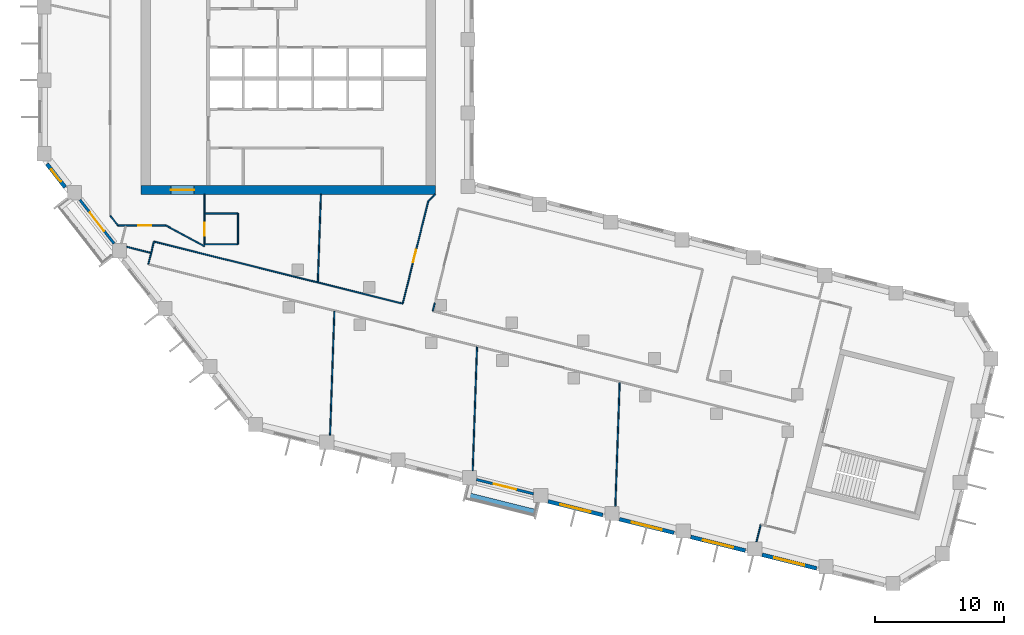
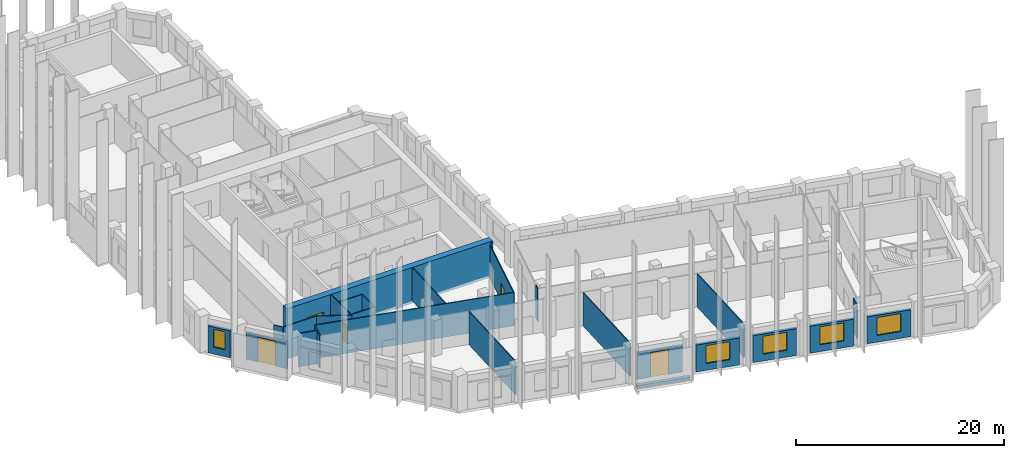
# One storey, part 3 of 10: 27 walls, 6 doors, 5 windows, 11 openings.
"""IFC4 building model written with IfcOpenShell, lengths in metres."""

from ifc_helpers import new_model, si_unit, direction, frame, frame_2d, origin, place, context, subcontext, project, spatial, rectangle, extrude, material, layer, layer_set, type_object, element, fill, save


model = new_model("IFC4")

# Units and contexts
model_context = context("Model", 3, precision=1e-05, world=origin(), true_north=direction((0.0, 1.0)))
body_context = subcontext(model_context, "Body", "Model", "MODEL_VIEW")
ifc_project = project(units=[si_unit("LENGTHUNIT", "METRE"), si_unit("AREAUNIT", "SQUARE_METRE"), si_unit("VOLUMEUNIT", "CUBIC_METRE"), si_unit("PLANEANGLEUNIT", "RADIAN"), si_unit("MASSUNIT", "GRAM", prefix="KILO")], contexts=[model_context])

# Site, building, storey
site_placement = place(None, origin())
site = spatial("IfcSite", under=ifc_project, at=site_placement, CompositionType="ELEMENT")
building_placement = place(site_placement, origin())
building = spatial("IfcBuilding", under=site, at=building_placement, Name="Meshkara Civic Tower", CompositionType="ELEMENT")
storey_placement = place(building_placement, frame((0.0, 0.0, 259.199951171875)))
storey = spatial("IfcBuildingStorey", under=building, at=storey_placement, Name="L59", CompositionType="ELEMENT", Elevation=259.199951171875)

# Wall, opening, door
ifc_material_1 = material(Name="Concrete C60", Category="concrete")
ifc_layer_1 = layer(ifc_material_1, 0.699951171875)
ifc_layer_set_1 = layer_set([ifc_layer_1], Name="Core ring wall 700 C60")
wall_type_1 = type_object("IfcWallType", Name="Core ring wall 700 C60", PredefinedType="SHEAR", material=ifc_layer_set_1)
wall_1_placement = place(storey_placement, frame((8.0, 14.449951171875, -0.300048828125), z_axis=(0.0, 0.0, 1.0), x_axis=(1.0, 0.0, 0.0)))
wall_1 = element("IfcWall", 1, at=wall_1_placement, inside=storey, type_object=wall_type_1, Name="L59-C001", PredefinedType="SHEAR", context=body_context, shape_type="SweptSolid", body=[
    extrude(rectangle(XDim=22.800048828125, YDim=0.699951171875, at=frame_2d((11.39990234375, 0.0))), origin(), (0.0, 0.0, 1.0), 4.2001953125),
])
opening_1_placement = place(wall_1_placement, frame((2.300048828125, 0.0, 0.300048828125)))
opening_1 = element("IfcOpeningElement", 2, at=opening_1_placement, cuts=wall_1, Name="Opening L59-K021", PredefinedType="OPENING", context=body_context, shape_type="SweptSolid", body=[
    extrude(rectangle(XDim=1.800048828125, YDim=2.10009765625, at=frame_2d((0.89990234375, 1.050048828125))), frame((0.0, 0.35986328125, 0.0), z_axis=(0.0, -1.0, 0.0), x_axis=(1.0, 0.0, 0.0)), (0.0, 0.0, 1.0), 0.719970703125),
])
ifc_material_2 = material(Name="Fire-rated door leaf in steel frame", Category="steel")
door_type_1 = type_object("IfcDoorType", Name="Core double door 1800 EI 60", OperationType="DOUBLE_DOOR_SINGLE_SWING", PredefinedType="DOOR", material=ifc_material_2)
door_1_placement = place(opening_1_placement, origin())
door_1 = element("IfcDoor", 3, at=door_1_placement, inside=storey, type_object=door_type_1, Name="L59-K021", OperationType="DOUBLE_DOOR_SINGLE_SWING", OverallHeight=2.10009765625, OverallWidth=1.800048828125, PredefinedType="DOOR", context=body_context, shape_type="SweptSolid", body=[
    extrude(rectangle(XDim=1.800048828125, YDim=2.10009765625, at=frame_2d((0.89990234375, 1.050048828125))), frame((0.0, 0.02490234375, 0.0), z_axis=(0.0, -1.0, 0.0), x_axis=(1.0, 0.0, 0.0)), (0.0, 0.0, 1.0), 0.050048828125),
])
fill(opening_1, door_1)

# Wall
ifc_material_3 = material(Name="Corridor wall 100")
ifc_layer_2 = layer(ifc_material_3, 0.10009765625)
ifc_layer_set_2 = layer_set([ifc_layer_2], Name="Corridor wall 100")
wall_type_2 = type_object("IfcWallType", Name="Corridor wall 100", PredefinedType="PARTITIONING", material=ifc_layer_set_2)
wall_2_placement = place(storey_placement, frame((5.60009765625, 12.449951171875, 0.0), z_axis=(0.0, 0.0, 1.0), x_axis=(0.615644041972, -0.788024373725, 0.0)))
element("IfcWall", 4, at=wall_2_placement, inside=storey, type_object=wall_type_2, Name="L59-W003", PredefinedType="PARTITIONING", context=body_context, shape_type="SweptSolid", body=[
    extrude(rectangle(XDim=0.95166015625, YDim=0.10009765625, at=frame_2d((0.475830078125, 0.0))), origin(), (0.0, 0.0, 1.0), 3.900146484375),
])

# Wall, opening, door
wall_3_placement = place(storey_placement, frame((6.18603515625, 11.699951171875, 0.0), z_axis=(0.0, 0.0, 1.0), x_axis=(1.0, 0.0, 0.0)))
wall_3 = element("IfcWall", 5, at=wall_3_placement, inside=storey, type_object=wall_type_2, Name="L59-W006", PredefinedType="PARTITIONING", context=body_context, shape_type="SweptSolid", body=[
    extrude(rectangle(XDim=3.7138671875, YDim=0.10009765625, at=frame_2d((1.85693359375, 0.0))), origin(), (0.0, 0.0, 1.0), 3.900146484375),
])
opening_2_placement = place(wall_3_placement, frame((1.591064453125, 0.0, 0.0)))
opening_2 = element("IfcOpeningElement", 6, at=opening_2_placement, cuts=wall_3, Name="Opening L59-D008", PredefinedType="OPENING", context=body_context, shape_type="SweptSolid", body=[
    extrude(rectangle(XDim=1.0, YDim=2.10009765625, at=frame_2d((0.5, 1.050048828125))), frame((0.0, 0.06005859375, 0.0), z_axis=(0.0, -1.0, 0.0), x_axis=(1.0, 0.0, 0.0)), (0.0, 0.0, 1.0), 0.1201171875),
])
ifc_material_4 = material(Name="Door 1000 x 2100")
door_type_2 = type_object("IfcDoorType", Name="Door 1000 x 2100", OperationType="SINGLE_SWING_LEFT", PredefinedType="DOOR", material=ifc_material_4)
door_2_placement = place(opening_2_placement, origin())
door_2 = element("IfcDoor", 7, at=door_2_placement, inside=storey, type_object=door_type_2, Name="L59-D008", OperationType="SINGLE_SWING_RIGHT", OverallHeight=2.10009765625, OverallWidth=1.0, PredefinedType="DOOR", context=body_context, shape_type="SweptSolid", body=[
    extrude(rectangle(XDim=1.0, YDim=2.10009765625, at=frame_2d((0.5, 1.050048828125))), frame((0.0, 0.02490234375, 0.0), z_axis=(0.0, -1.0, 0.0), x_axis=(1.0, 0.0, 0.0)), (0.0, 0.0, 1.0), 0.050048828125),
])
fill(opening_2, door_2)

# Walls
wall_4_placement = place(storey_placement, frame((8.988037109375, 10.43994140625, 0.0), z_axis=(0.0, 0.0, 1.0), x_axis=(0.970301223092, -0.241899848006, 0.0)))
element("IfcWall", 8, at=wall_4_placement, inside=storey, type_object=wall_type_2, Name="L59-W009", PredefinedType="PARTITIONING", context=body_context, shape_type="SweptSolid", body=[
    extrude(rectangle(XDim=19.87939453125, YDim=0.10009765625, at=frame_2d((9.939697265625, 0.0))), origin(), (0.0, 0.0, 1.0), 3.900146484375),
])
wall_5_placement = place(storey_placement, frame((8.988037109375, 10.43994140625, 0.0), z_axis=(0.0, 0.0, 1.0), x_axis=(-0.242154485745, -0.970237705428, 0.0)))
element("IfcWall", 9, at=wall_5_placement, inside=storey, type_object=wall_type_2, Name="L59-W010", PredefinedType="PARTITIONING", context=body_context, shape_type="SweptSolid", body=[
    extrude(rectangle(XDim=1.80859375, YDim=0.10009765625, at=frame_2d((0.904296875, 0.0))), origin(), (0.0, 0.0, 1.0), 3.900146484375),
])
wall_6_placement = place(storey_placement, frame((9.89990234375, 11.699951171875, 0.0), z_axis=(0.0, 0.0, 1.0), x_axis=(0.87965147249, -0.475618846291, 0.0)))
element("IfcWall", 10, at=wall_6_placement, inside=storey, type_object=wall_type_2, Name="L59-W011", PredefinedType="PARTITIONING", context=body_context, shape_type="SweptSolid", body=[
    extrude(rectangle(XDim=3.410400390625, YDim=0.10009765625, at=frame_2d((1.705078125, 0.0))), origin(), (0.0, 0.0, 1.0), 3.900146484375),
])

# Wall, opening, door
wall_7_placement = place(storey_placement, frame((12.89990234375, 10.22802734375, 0.0), z_axis=(0.0, 0.0, 1.0), x_axis=(0.0, 1.0, 0.0)))
wall_7 = element("IfcWall", 11, at=wall_7_placement, inside=storey, type_object=wall_type_2, Name="L59-W016", PredefinedType="PARTITIONING", context=body_context, shape_type="SweptSolid", body=[
    extrude(rectangle(XDim=3.8720703125, YDim=0.10009765625, at=frame_2d((1.93603515625, 0.0))), origin(), (0.0, 0.0, 1.0), 3.900146484375),
])
opening_3_placement = place(wall_7_placement, frame((0.679931640625, 0.0, 0.0)))
opening_3 = element("IfcOpeningElement", 12, at=opening_3_placement, cuts=wall_7, Name="Opening L59-D009", PredefinedType="OPENING", context=body_context, shape_type="SweptSolid", body=[
    extrude(rectangle(XDim=1.0, YDim=2.10009765625, at=frame_2d((0.5, 1.050048828125))), frame((0.0, 0.06005859375, 0.0), z_axis=(0.0, -1.0, 0.0), x_axis=(1.0, 0.0, 0.0)), (0.0, 0.0, 1.0), 0.1201171875),
])
door_3_placement = place(opening_3_placement, origin())
door_3 = element("IfcDoor", 13, at=door_3_placement, inside=storey, type_object=door_type_2, Name="L59-D009", OperationType="SINGLE_SWING_RIGHT", OverallHeight=2.10009765625, OverallWidth=1.0, PredefinedType="DOOR", context=body_context, shape_type="SweptSolid", body=[
    extrude(rectangle(XDim=1.0, YDim=2.10009765625, at=frame_2d((0.5, 1.050048828125))), frame((0.0, 0.02490234375, 0.0), z_axis=(0.0, -1.0, 0.0), x_axis=(1.0, 0.0, 0.0)), (0.0, 0.0, 1.0), 0.050048828125),
])
fill(opening_3, door_3)

wall_8_placement = place(storey_placement, frame((30.259033203125, 13.5830078125, 0.0), z_axis=(0.0, 0.0, 1.0), x_axis=(-0.241841612879, -0.970315739479, 0.0)))
wall_8 = element("IfcWall", 14, at=wall_8_placement, inside=storey, type_object=wall_type_2, Name="L59-W026", PredefinedType="PARTITIONING", context=body_context, shape_type="SweptSolid", body=[
    extrude(rectangle(XDim=8.195068359375, YDim=0.10009765625, at=frame_2d((4.09765625, 0.0))), origin(), (0.0, 0.0, 1.0), 3.900146484375),
])
opening_4_placement = place(wall_8_placement, frame((3.8798828125, 0.0, 0.0)))
opening_4 = element("IfcOpeningElement", 15, at=opening_4_placement, cuts=wall_8, Name="Opening L59-D011", PredefinedType="OPENING", context=body_context, shape_type="SweptSolid", body=[
    extrude(rectangle(XDim=1.0, YDim=2.10009765625, at=frame_2d((0.5, 1.050048828125))), frame((0.0, 0.06005859375, 0.0), z_axis=(0.0, -1.0, 0.0), x_axis=(1.0, 0.0, 0.0)), (0.0, 0.0, 1.0), 0.1201171875),
])
door_4_placement = place(opening_4_placement, origin())
door_4 = element("IfcDoor", 16, at=door_4_placement, inside=storey, type_object=door_type_2, Name="L59-D011", OperationType="SINGLE_SWING_LEFT", OverallHeight=2.10009765625, OverallWidth=1.0, PredefinedType="DOOR", context=body_context, shape_type="SweptSolid", body=[
    extrude(rectangle(XDim=1.0, YDim=2.10009765625, at=frame_2d((0.5, 1.050048828125))), frame((0.0, 0.02490234375, 0.0), z_axis=(0.0, -1.0, 0.0), x_axis=(1.0, 0.0, 0.0)), (0.0, 0.0, 1.0), 0.050048828125),
])
fill(opening_4, door_4)

# Walls
wall_9_placement = place(storey_placement, frame((30.60498046875, 5.050048828125, 0.0), z_axis=(0.0, 0.0, 1.0), x_axis=(0.241823201882, 0.970320328052, 0.0)))
element("IfcWall", 17, at=wall_9_placement, inside=storey, type_object=wall_type_2, Name="L59-W027", PredefinedType="PARTITIONING", context=body_context, shape_type="SweptSolid", body=[
    extrude(rectangle(XDim=0.64501953125, YDim=0.10009765625, at=frame_2d((0.322509765625, 0.0))), origin(), (0.0, 0.0, 1.0), 3.900146484375),
])
wall_10_placement = place(storey_placement, frame((30.800048828125, 14.10009765625, 0.0), z_axis=(0.0, 0.0, 1.0), x_axis=(-0.722911025189, -0.690941133281, 0.0)))
element("IfcWall", 18, at=wall_10_placement, inside=storey, type_object=wall_type_2, Name="L59-W028", PredefinedType="PARTITIONING", context=body_context, shape_type="SweptSolid", body=[
    extrude(rectangle(XDim=0.748291015625, YDim=0.10009765625, at=frame_2d((0.3740234375, 0.0))), origin(), (0.0, 0.0, 1.0), 3.900146484375),
])

# Wall, opening, window
ifc_material_5 = material(Name="Insulated infill panel with bronze anodised aluminium cladding", Category="aluminium")
ifc_layer_3 = layer(ifc_material_5, 0.300048828125)
ifc_layer_set_3 = layer_set([ifc_layer_3], Name="EXTERNAL INFILL WALL 300")
wall_type_3 = type_object("IfcWallType", Name="EXTERNAL INFILL WALL 300", PredefinedType="SOLIDWALL", material=ifc_layer_set_3)
wall_11_placement = place(storey_placement, frame((0.68896484375, 16.4619140625, 0.0), z_axis=(0.0, 0.0, 1.0), x_axis=(0.615625465473, -0.788038886262, 0.0)))
wall_11 = element("IfcWall", 19, at=wall_11_placement, inside=storey, type_object=wall_type_3, Name="External wall", PredefinedType="SOLIDWALL", context=body_context, shape_type="SweptSolid", body=[
    extrude(rectangle(XDim=2.29541015625, YDim=0.300048828125, at=frame_2d((1.147705078125, 0.0))), origin(), (0.0, 0.0, 1.0), 3.150146484375),
])
opening_5_placement = place(wall_11_placement, frame((0.548095703125, 0.0, 0.800048828125)))
opening_5 = element("IfcOpeningElement", 20, at=opening_5_placement, cuts=wall_11, Name="Opening W3", PredefinedType="OPENING", context=body_context, shape_type="SweptSolid", body=[
    extrude(rectangle(XDim=1.199951171875, YDim=2.10009765625, at=frame_2d((0.60009765625, 1.050048828125))), frame((0.0, 0.159912109375, 0.0), z_axis=(0.0, -1.0, 0.0), x_axis=(1.0, 0.0, 0.0)), (0.0, 0.0, 1.0), 0.320068359375),
])
ifc_material_6 = material(Name="Tinted double glazing", Category="glass")
window_type_1 = type_object("IfcWindowType", Name="WINDOW 1200x2100", PartitioningType="SINGLE_PANEL", PredefinedType="WINDOW", material=ifc_material_6)
window_1_placement = place(opening_5_placement, origin())
window_1 = element("IfcWindow", 21, at=window_1_placement, inside=storey, type_object=window_type_1, Name="Window", OverallHeight=2.10009765625, OverallWidth=1.199951171875, PartitioningType="SINGLE_PANEL", PredefinedType="WINDOW", context=body_context, shape_type="SweptSolid", body=[
    extrude(rectangle(XDim=1.199951171875, YDim=2.10009765625, at=frame_2d((0.60009765625, 1.050048828125))), frame((0.0, 0.030029296875, 0.0), z_axis=(0.0, -1.0, 0.0), x_axis=(1.0, 0.0, 0.0)), (0.0, 0.0, 1.0), 0.06005859375),
])
fill(opening_5, window_1)

wall_12_placement = place(storey_placement, frame((39.548095703125, -9.7060546875, 0.0), z_axis=(0.0, 0.0, 1.0), x_axis=(0.970319847058, -0.241825131873, 0.0)))
wall_12 = element("IfcWall", 22, at=wall_12_placement, inside=storey, type_object=wall_type_3, Name="External wall", PredefinedType="SOLIDWALL", context=body_context, shape_type="SweptSolid", body=[
    extrude(rectangle(XDim=4.366455078125, YDim=0.300048828125, at=frame_2d((2.18310546875, 0.0))), origin(), (0.0, 0.0, 1.0), 3.150146484375),
])
opening_6_placement = place(wall_12_placement, frame((0.98291015625, 0.0, 0.800048828125)))
opening_6 = element("IfcOpeningElement", 23, at=opening_6_placement, cuts=wall_12, Name="Opening W7", PredefinedType="OPENING", context=body_context, shape_type="SweptSolid", body=[
    extrude(rectangle(XDim=2.39990234375, YDim=2.10009765625, at=frame_2d((1.199951171875, 1.050048828125))), frame((0.0, 0.159912109375, 0.0), z_axis=(0.0, -1.0, 0.0), x_axis=(1.0, 0.0, 0.0)), (0.0, 0.0, 1.0), 0.320068359375),
])
ifc_material_7 = material(Name="Tinted double glazing", Category="glass")
window_type_2 = type_object("IfcWindowType", Name="WINDOW 2400x2100", PartitioningType="DOUBLE_PANEL_VERTICAL", PredefinedType="WINDOW", material=ifc_material_7)
window_2_placement = place(opening_6_placement, origin())
window_2 = element("IfcWindow", 24, at=window_2_placement, inside=storey, type_object=window_type_2, Name="Window", OverallHeight=2.10009765625, OverallWidth=2.39990234375, PartitioningType="DOUBLE_PANEL_VERTICAL", PredefinedType="WINDOW", context=body_context, shape_type="SweptSolid", body=[
    extrude(rectangle(XDim=2.39990234375, YDim=2.10009765625, at=frame_2d((1.199951171875, 1.050048828125))), frame((0.0, 0.030029296875, 0.0), z_axis=(0.0, -1.0, 0.0), x_axis=(1.0, 0.0, 0.0)), (0.0, 0.0, 1.0), 0.06005859375),
])
fill(opening_6, window_2)

wall_13_placement = place(storey_placement, frame((45.0791015625, -11.0849609375, 0.0), z_axis=(0.0, 0.0, 1.0), x_axis=(0.970293636985, -0.241930275135, 0.0)))
wall_13 = element("IfcWall", 25, at=wall_13_placement, inside=storey, type_object=wall_type_3, Name="External wall", PredefinedType="SOLIDWALL", context=body_context, shape_type="SweptSolid", body=[
    extrude(rectangle(XDim=4.365478515625, YDim=0.300048828125, at=frame_2d((2.1826171875, 0.0))), origin(), (0.0, 0.0, 1.0), 3.150146484375),
])
opening_7_placement = place(wall_13_placement, frame((0.98291015625, 0.0, 0.800048828125)))
opening_7 = element("IfcOpeningElement", 26, at=opening_7_placement, cuts=wall_13, Name="Opening W7", PredefinedType="OPENING", context=body_context, shape_type="SweptSolid", body=[
    extrude(rectangle(XDim=2.39990234375, YDim=2.10009765625, at=frame_2d((1.199951171875, 1.050048828125))), frame((0.0, 0.159912109375, 0.0), z_axis=(0.0, -1.0, 0.0), x_axis=(1.0, 0.0, 0.0)), (0.0, 0.0, 1.0), 0.320068359375),
])
window_3_placement = place(opening_7_placement, origin())
window_3 = element("IfcWindow", 27, at=window_3_placement, inside=storey, type_object=window_type_2, Name="Window", OverallHeight=2.10009765625, OverallWidth=2.39990234375, PartitioningType="DOUBLE_PANEL_VERTICAL", PredefinedType="WINDOW", context=body_context, shape_type="SweptSolid", body=[
    extrude(rectangle(XDim=2.39990234375, YDim=2.10009765625, at=frame_2d((1.199951171875, 1.050048828125))), frame((0.0, 0.030029296875, 0.0), z_axis=(0.0, -1.0, 0.0), x_axis=(1.0, 0.0, 0.0)), (0.0, 0.0, 1.0), 0.06005859375),
])
fill(opening_7, window_3)

wall_14_placement = place(storey_placement, frame((50.60888671875, -12.462890625, 0.0), z_axis=(0.0, 0.0, 1.0), x_axis=(0.970257492536, -0.242075191166, 0.0)))
wall_14 = element("IfcWall", 28, at=wall_14_placement, inside=storey, type_object=wall_type_3, Name="External wall", PredefinedType="SOLIDWALL", context=body_context, shape_type="SweptSolid", body=[
    extrude(rectangle(XDim=4.366943359375, YDim=0.300048828125, at=frame_2d((2.18359375, 0.0))), origin(), (0.0, 0.0, 1.0), 3.150146484375),
])
opening_8_placement = place(wall_14_placement, frame((0.98291015625, 0.0, 0.800048828125)))
opening_8 = element("IfcOpeningElement", 29, at=opening_8_placement, cuts=wall_14, Name="Opening W7", PredefinedType="OPENING", context=body_context, shape_type="SweptSolid", body=[
    extrude(rectangle(XDim=2.39990234375, YDim=2.10009765625, at=frame_2d((1.199951171875, 1.050048828125))), frame((0.0, 0.159912109375, 0.0), z_axis=(0.0, -1.0, 0.0), x_axis=(1.0, 0.0, 0.0)), (0.0, 0.0, 1.0), 0.320068359375),
])
window_4_placement = place(opening_8_placement, origin())
window_4 = element("IfcWindow", 30, at=window_4_placement, inside=storey, type_object=window_type_2, Name="Window", OverallHeight=2.10009765625, OverallWidth=2.39990234375, PartitioningType="DOUBLE_PANEL_VERTICAL", PredefinedType="WINDOW", context=body_context, shape_type="SweptSolid", body=[
    extrude(rectangle(XDim=2.39990234375, YDim=2.10009765625, at=frame_2d((1.199951171875, 1.050048828125))), frame((0.0, 0.030029296875, 0.0), z_axis=(0.0, -1.0, 0.0), x_axis=(1.0, 0.0, 0.0)), (0.0, 0.0, 1.0), 0.06005859375),
])
fill(opening_8, window_4)

wall_15_placement = place(storey_placement, frame((56.139892578125, -13.842041015625, 0.0), z_axis=(0.0, 0.0, 1.0), x_axis=(0.970270622343, -0.24202255973, 0.0)))
wall_15 = element("IfcWall", 31, at=wall_15_placement, inside=storey, type_object=wall_type_3, Name="External wall", PredefinedType="SOLIDWALL", context=body_context, shape_type="SweptSolid", body=[
    extrude(rectangle(XDim=4.366943359375, YDim=0.300048828125, at=frame_2d((2.18359375, 0.0))), origin(), (0.0, 0.0, 1.0), 3.150146484375),
])
opening_9_placement = place(wall_15_placement, frame((0.98291015625, 0.0, 0.800048828125)))
opening_9 = element("IfcOpeningElement", 32, at=opening_9_placement, cuts=wall_15, Name="Opening W7", PredefinedType="OPENING", context=body_context, shape_type="SweptSolid", body=[
    extrude(rectangle(XDim=2.39990234375, YDim=2.10009765625, at=frame_2d((1.199951171875, 1.050048828125))), frame((0.0, 0.159912109375, 0.0), z_axis=(0.0, -1.0, 0.0), x_axis=(1.0, 0.0, 0.0)), (0.0, 0.0, 1.0), 0.320068359375),
])
window_5_placement = place(opening_9_placement, origin())
window_5 = element("IfcWindow", 33, at=window_5_placement, inside=storey, type_object=window_type_2, Name="Window", OverallHeight=2.10009765625, OverallWidth=2.39990234375, PartitioningType="DOUBLE_PANEL_VERTICAL", PredefinedType="WINDOW", context=body_context, shape_type="SweptSolid", body=[
    extrude(rectangle(XDim=2.39990234375, YDim=2.10009765625, at=frame_2d((1.199951171875, 1.050048828125))), frame((0.0, 0.030029296875, 0.0), z_axis=(0.0, -1.0, 0.0), x_axis=(1.0, 0.0, 0.0)), (0.0, 0.0, 1.0), 0.06005859375),
])
fill(opening_9, window_5)

# Wall, opening, door
ifc_material_8 = material(Name="Insulated infill panel with bronze anodised aluminium cladding", Category="aluminium")
ifc_layer_4 = layer(ifc_material_8, 0.199951171875)
ifc_layer_set_4 = layer_set([ifc_layer_4], Name="LOGGIA BACK WALL 200")
wall_type_4 = type_object("IfcWallType", Name="LOGGIA BACK WALL 200", PredefinedType="SOLIDWALL", material=ifc_layer_set_4)
wall_16_placement = place(storey_placement, frame((3.243896484375, 13.678955078125, 0.0), z_axis=(0.0, 0.0, 1.0), x_axis=(0.615682564618, -0.787994276392, 0.0)))
wall_16 = element("IfcWall", 34, at=wall_16_placement, inside=storey, type_object=wall_type_4, Name="Loggia wall", PredefinedType="SOLIDWALL", context=body_context, shape_type="SweptSolid", body=[
    extrude(rectangle(XDim=4.304443359375, YDim=0.199951171875, at=frame_2d((2.15234375, 0.0))), origin(), (0.0, 0.0, 1.0), 3.150146484375),
])
opening_10_placement = place(wall_16_placement, frame((1.251953125, 0.0, 0.0)))
opening_10 = element("IfcOpeningElement", 35, at=opening_10_placement, cuts=wall_16, Name="Opening L59-L002", PredefinedType="OPENING", context=body_context, shape_type="SweptSolid", body=[
    extrude(rectangle(XDim=1.800048828125, YDim=2.89990234375, at=frame_2d((0.89990234375, 1.449951171875))), frame((0.0, 0.10986328125, 0.0), z_axis=(0.0, -1.0, 0.0), x_axis=(1.0, 0.0, 0.0)), (0.0, 0.0, 1.0), 0.219970703125),
])
ifc_material_9 = material(Name="Tinted double glazing", Category="glass")
door_type_3 = type_object("IfcDoorType", Name="LOGGIA DOOR 1800x2900", OperationType="DOUBLE_DOOR_SINGLE_SWING", PredefinedType="DOOR", material=ifc_material_9)
door_5_placement = place(opening_10_placement, origin())
door_5 = element("IfcDoor", 36, at=door_5_placement, inside=storey, type_object=door_type_3, Name="L59-L002", OperationType="DOUBLE_DOOR_SINGLE_SWING", OverallHeight=2.89990234375, OverallWidth=1.800048828125, PredefinedType="DOOR", context=body_context, shape_type="SweptSolid", body=[
    extrude(rectangle(XDim=1.800048828125, YDim=2.89990234375, at=frame_2d((0.89990234375, 1.449951171875))), frame((0.0, 0.02490234375, 0.0), z_axis=(0.0, -1.0, 0.0), x_axis=(1.0, 0.0, 0.0)), (0.0, 0.0, 1.0), 0.050048828125),
])
fill(opening_10, door_5)

wall_17_placement = place(storey_placement, frame((33.992919921875, -8.011962890625, 0.0), z_axis=(0.0, 0.0, 1.0), x_axis=(0.970337166083, -0.241755628927, 0.0)))
wall_17 = element("IfcWall", 37, at=wall_17_placement, inside=storey, type_object=wall_type_4, Name="Loggia wall", PredefinedType="SOLIDWALL", context=body_context, shape_type="SweptSolid", body=[
    extrude(rectangle(XDim=4.566650390625, YDim=0.199951171875, at=frame_2d((2.283203125, 0.0))), origin(), (0.0, 0.0, 1.0), 3.150146484375),
])
opening_11_placement = place(wall_17_placement, frame((1.383056640625, 0.0, 0.0)))
opening_11 = element("IfcOpeningElement", 38, at=opening_11_placement, cuts=wall_17, Name="Opening L59-L003", PredefinedType="OPENING", context=body_context, shape_type="SweptSolid", body=[
    extrude(rectangle(XDim=1.800048828125, YDim=2.89990234375, at=frame_2d((0.89990234375, 1.449951171875))), frame((0.0, 0.10986328125, 0.0), z_axis=(0.0, -1.0, 0.0), x_axis=(1.0, 0.0, 0.0)), (0.0, 0.0, 1.0), 0.219970703125),
])
door_6_placement = place(opening_11_placement, origin())
door_6 = element("IfcDoor", 39, at=door_6_placement, inside=storey, type_object=door_type_3, Name="L59-L003", OperationType="DOUBLE_DOOR_SINGLE_SWING", OverallHeight=2.89990234375, OverallWidth=1.800048828125, PredefinedType="DOOR", context=body_context, shape_type="SweptSolid", body=[
    extrude(rectangle(XDim=1.800048828125, YDim=2.89990234375, at=frame_2d((0.89990234375, 1.449951171875))), frame((0.0, 0.02490234375, 0.0), z_axis=(0.0, -1.0, 0.0), x_axis=(1.0, 0.0, 0.0)), (0.0, 0.0, 1.0), 0.050048828125),
])
fill(opening_11, door_6)

# Walls
ifc_material_10 = material(Name="Concrete C40", Category="concrete")
ifc_layer_5 = layer(ifc_material_10, 0.39990234375)
ifc_layer_set_5 = layer_set([ifc_layer_5], Name="PLANTER TRAY")
wall_type_5 = type_object("IfcWallType", Name="PLANTER TRAY", PredefinedType="SOLIDWALL", material=ifc_layer_set_5)
wall_18_placement = place(storey_placement, frame((33.285888671875, -9.2060546875, 0.0), z_axis=(0.0, 0.0, 1.0), x_axis=(0.970292345375, -0.241935455249, 0.0)))
element("IfcWall", 40, at=wall_18_placement, inside=storey, type_object=wall_type_5, Name="Planter", PredefinedType="SOLIDWALL", context=body_context, shape_type="SweptSolid", body=[
    extrude(rectangle(XDim=5.3603515625, YDim=0.39990234375, at=frame_2d((2.68017578125, 0.0))), origin(), (0.0, 0.0, 1.0), 0.300048828125),
])
ifc_material_11 = material(Name="Partition 100")
ifc_layer_6 = layer(ifc_material_11, 0.10009765625)
ifc_layer_set_6 = layer_set([ifc_layer_6], Name="Partition 100")
wall_type_6 = type_object("IfcWallType", Name="Partition 100", PredefinedType="PARTITIONING", material=ifc_layer_set_6)
wall_19_placement = place(storey_placement, frame((8.719970703125, 9.573974609375, 0.0), z_axis=(0.0, 0.0, 1.0), x_axis=(-0.970240497311, 0.242143299263, 0.0)))
element("IfcWall", 41, at=wall_19_placement, inside=storey, type_object=wall_type_6, Name="L59-W049", PredefinedType="PARTITIONING", context=body_context, shape_type="SweptSolid", body=[
    extrude(rectangle(XDim=1.903564453125, YDim=0.10009765625, at=frame_2d((0.95166015625, 0.0))), origin(), (0.0, 0.0, 1.0), 3.900146484375),
])
wall_20_placement = place(storey_placement, frame((12.949951171875, 12.6279296875, 0.0), z_axis=(0.0, 0.0, 1.0), x_axis=(1.0, 0.0, 0.0)))
element("IfcWall", 42, at=wall_20_placement, inside=storey, type_object=wall_type_6, Name="L59-W050", PredefinedType="PARTITIONING", context=body_context, shape_type="SweptSolid", body=[
    extrude(rectangle(XDim=2.550048828125, YDim=0.10009765625, at=frame_2d((1.27490234375, 0.0))), origin(), (0.0, 0.0, 1.0), 3.900146484375),
])
wall_21_placement = place(storey_placement, frame((15.5, 10.22802734375, 0.0), z_axis=(0.0, 0.0, 1.0), x_axis=(-1.0, 0.0, 0.0)))
element("IfcWall", 43, at=wall_21_placement, inside=storey, type_object=wall_type_6, Name="L59-W051", PredefinedType="PARTITIONING", context=body_context, shape_type="SweptSolid", body=[
    extrude(rectangle(XDim=2.60009765625, YDim=0.10009765625, at=frame_2d((1.300048828125, 0.0))), origin(), (0.0, 0.0, 1.0), 3.900146484375),
])
wall_22_placement = place(storey_placement, frame((15.5, 12.6279296875, 0.0), z_axis=(0.0, 0.0, 1.0), x_axis=(0.0, -1.0, 0.0)))
element("IfcWall", 44, at=wall_22_placement, inside=storey, type_object=wall_type_6, Name="L59-W052", PredefinedType="PARTITIONING", context=body_context, shape_type="SweptSolid", body=[
    extrude(rectangle(XDim=2.39990234375, YDim=0.10009765625, at=frame_2d((1.199951171875, 0.0))), origin(), (0.0, 0.0, 1.0), 3.900146484375),
])
wall_23_placement = place(storey_placement, frame((21.695068359375, 7.333984375, 0.0), z_axis=(0.0, 0.0, 1.0), x_axis=(0.034978942342, 0.999388049555, 0.0)))
element("IfcWall", 45, at=wall_23_placement, inside=storey, type_object=wall_type_6, Name="L59-W054", PredefinedType="PARTITIONING", context=body_context, shape_type="SweptSolid", body=[
    extrude(rectangle(XDim=6.770263671875, YDim=0.10009765625, at=frame_2d((3.38525390625, 0.0))), origin(), (0.0, 0.0, 1.0), 3.900146484375),
])
wall_24_placement = place(storey_placement, frame((22.64111328125, -4.56689453125, 0.0), z_axis=(0.0, 0.0, 1.0), x_axis=(0.034896781654, 0.999390921827, 0.0)))
element("IfcWall", 46, at=wall_24_placement, inside=storey, type_object=wall_type_6, Name="L59-W055", PredefinedType="PARTITIONING", context=body_context, shape_type="SweptSolid", body=[
    extrude(rectangle(XDim=9.5986328125, YDim=0.10009765625, at=frame_2d((4.79931640625, 0.0))), origin(), (0.0, 0.0, 1.0), 3.900146484375),
])
for number, where, z_axis, x_axis, name in (
    (47, (33.702880859375, -7.324951171875, 0.0), (0.0, 0.0, 1.0), (0.034823224935, 0.999393487574, 0.0), "L59-W056"),
    (48, (44.763916015625, -10.08203125, 0.0), (0.0, 0.0, 1.0), (0.034797818769, 0.999394372512, 0.0), "L59-W057"),
):
    element("IfcWall", number, at=place(storey_placement, frame(where, z_axis=z_axis, x_axis=x_axis)), inside=storey, type_object=wall_type_6, Name=name, PredefinedType="PARTITIONING", context=body_context, shape_type="SweptSolid", body=[
        extrude(rectangle(XDim=9.597900390625, YDim=0.10009765625, at=frame_2d((4.798828125, 0.0))), origin(), (0.0, 0.0, 1.0), 3.900146484375),
    ])
wall_25_placement = place(storey_placement, frame((55.702880859375, -12.840087890625, 0.0), z_axis=(0.0, 0.0, 1.0), x_axis=(0.242327978011, 0.970194388292, 0.0)))
element("IfcWall", 49, at=wall_25_placement, inside=storey, type_object=wall_type_6, Name="L59-W058", PredefinedType="PARTITIONING", context=body_context, shape_type="SweptSolid", body=[
    extrude(rectangle(XDim=1.38330078125, YDim=0.10009765625, at=frame_2d((0.691650390625, 0.0))), origin(), (0.0, 0.0, 1.0), 3.900146484375),
])

save(model, "model.ifc")
